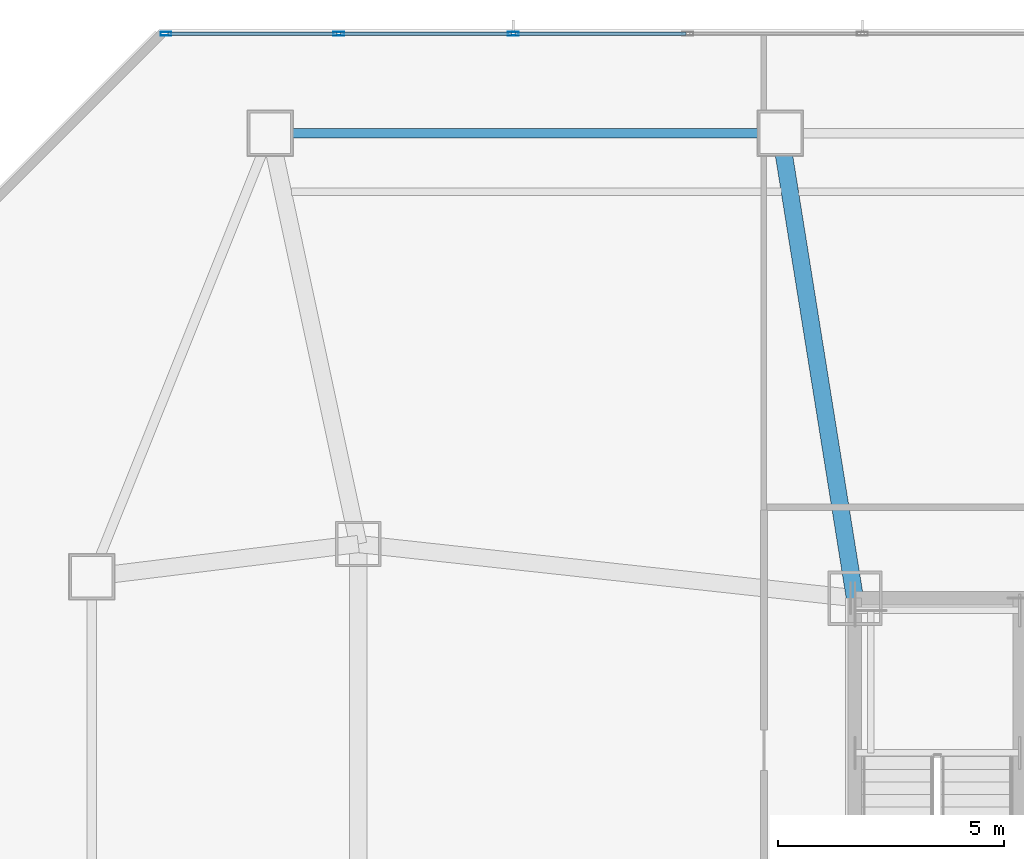
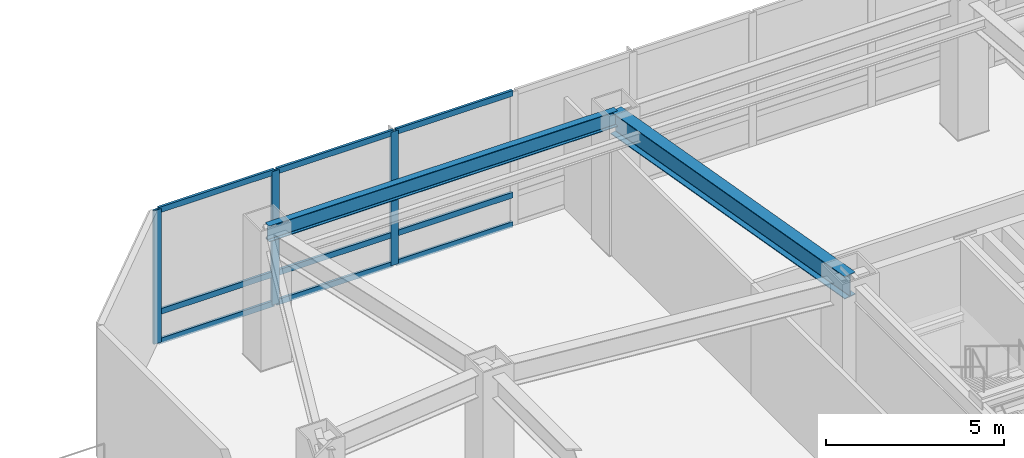
# One storey, part 2 of 14: 12 members, 2 beams, 1 element without a shape of its own.
"""IFC4 building model written with IfcOpenShell, lengths in metres."""

from ifc_helpers import new_model, si_unit, direction, frame, origin, origin_2d, place, context, subcontext, project, spatial, hollow_rectangle, i_section, extrude, material, material_profile, profile_set, type_object, element, aggregate, save


model = new_model("IFC4")

# Units and contexts
model_context = context("Model", 3, precision=1e-05, world=origin(), true_north=direction((0.0, 1.0)))
body_context = subcontext(model_context, "Body", "Model", "MODEL_VIEW")
ifc_project = project(units=[si_unit("LENGTHUNIT", "METRE"), si_unit("AREAUNIT", "SQUARE_METRE"), si_unit("VOLUMEUNIT", "CUBIC_METRE"), si_unit("PLANEANGLEUNIT", "RADIAN"), si_unit("MASSUNIT", "GRAM", prefix="KILO")], contexts=[model_context])

# Site, building, storey
site_placement = place(None, origin())
site = spatial("IfcSite", under=ifc_project, at=site_placement, CompositionType="ELEMENT")
building_placement = place(site_placement, origin())
building = spatial("IfcBuilding", under=site, at=building_placement, Name="Khamvora Tower", CompositionType="ELEMENT")
storey_placement = place(building_placement, frame((0.0, 0.0, 89.800048828125)))
storey = spatial("IfcBuildingStorey", under=building, at=storey_placement, Name="L22", CompositionType="ELEMENT", Elevation=89.800048828125)

# Beams
ifc_material_1 = material(Name="Steel S355", Category="steel")
ifc_material_profile_1 = material_profile(ifc_material_1, i_section(OverallWidth=0.381103515625, OverallDepth=0.77294921875, WebThickness=0.01708984375, FlangeThickness=0.027099609375, FilletRadius=0.01806640625, at=origin_2d()), Name="W760x257")
ifc_profile_set_1 = profile_set([ifc_material_profile_1], Name="Steel S355")
beam_type_1 = type_object("IfcBeamType", Name="BM-PG-W760x257", PredefinedType="BEAM", material=ifc_profile_set_1)
beam_1_placement = place(storey_placement, frame((29.0, 37.0, 4.19287109375), z_axis=(-0.158167584066, 0.987412282358, 0.0), x_axis=(-0.987412282358, -0.158167584066, 0.0)))
element("IfcBeam", 1, at=beam_1_placement, inside=storey, type_object=beam_type_1, Name="L22 primary floor girder N2", PredefinedType="BEAM", context=body_context, shape_type="SweptSolid", body=[
    extrude(i_section(OverallWidth=0.381103515625, OverallDepth=0.77294921875, WebThickness=0.01708984375, FlangeThickness=0.027099609375, FilletRadius=0.01806640625, at=origin_2d()), origin(), (0.0, 0.0, 1.0), 10.431396484375),
])
ifc_material_profile_2 = material_profile(ifc_material_1, i_section(OverallWidth=0.2119140625, OverallDepth=0.5439453125, WebThickness=0.012939453125, FlangeThickness=0.02099609375, FilletRadius=0.013916015625, at=origin_2d()), Name="W530x123")
ifc_profile_set_2 = profile_set([ifc_material_profile_2], Name="Steel S355")
beam_type_2 = type_object("IfcBeamType", Name="BM-SP-W530x123", PredefinedType="SPANDREL", material=ifc_profile_set_2)
beam_2_placement = place(storey_placement, frame((27.35009765625, 47.300048828125, 4.307861328125), z_axis=(-1.0, 0.0, 0.0), x_axis=(0.0, -1.0, 0.0)))
element("IfcBeam", 2, at=beam_2_placement, inside=storey, type_object=beam_type_2, Name="L22 perimeter spandrel beam N2-N1", PredefinedType="SPANDREL", context=body_context, shape_type="SweptSolid", body=[
    extrude(i_section(OverallWidth=0.2119140625, OverallDepth=0.5439453125, WebThickness=0.012939453125, FlangeThickness=0.02099609375, FilletRadius=0.013916015625, at=origin_2d()), origin(), (0.0, 0.0, 1.0), 11.300048828125),
])

# Curtain wall, members
ifc_material_2 = material(Name="Anodised Aluminium 6063-T6", Category="aluminium")
curtain_wall_type = type_object("IfcCurtainWallType", Name="CW-SYS-06", PredefinedType="NOTDEFINED", material=ifc_material_2)
curtain_wall_placement = place(storey_placement, origin())
curtain_wall = element("IfcCurtainWall", 3, at=curtain_wall_placement, inside=storey, type_object=curtain_wall_type, Name="L22 stick curtain wall 07.1", PredefinedType="NOTDEFINED")
ifc_material_profile_3 = material_profile(ifc_material_2, hollow_rectangle(XDim=0.080078125, YDim=0.239990234375, WallThickness=0.0048828125, at=origin_2d()), Name="MUL80x240x5")
ifc_profile_set_3 = profile_set([ifc_material_profile_3], Name="Anodised Aluminium 6063-T6")
member_type_1 = type_object("IfcMemberType", Name="CW-SYS-06-MUL", PredefinedType="MULLION", material=ifc_profile_set_3)
member_1_placement = place(storey_placement, frame((13.741943359375, 49.5, 0.0), z_axis=(0.0, 0.0, 1.0), x_axis=(0.0, 1.0, 0.0)))
member_1 = element("IfcMember", 4, at=member_1_placement, type_object=member_type_1, Name="CW-06 mullion 1", PredefinedType="MULLION", context=body_context, shape_type="SweptSolid", body=[
    extrude(hollow_rectangle(XDim=0.080078125, YDim=0.239990234375, WallThickness=0.0048828125, at=origin_2d()), origin(), (0.0, 0.0, 1.0), 4.579833984375),
])
member_2_placement = place(storey_placement, frame((17.567626953125, 49.5, 0.0), z_axis=(0.0, 0.0, 1.0), x_axis=(0.0, 1.0, 0.0)))
member_2 = element("IfcMember", 5, at=member_2_placement, type_object=member_type_1, Name="CW-06 mullion 2", PredefinedType="MULLION", context=body_context, shape_type="SweptSolid", body=[
    extrude(hollow_rectangle(XDim=0.080078125, YDim=0.239990234375, WallThickness=0.0048828125, at=origin_2d()), origin(), (0.0, 0.0, 1.0), 4.579833984375),
])
member_3_placement = place(storey_placement, frame((21.433349609375, 49.5, 0.0), z_axis=(0.0, 0.0, 1.0), x_axis=(0.0, 1.0, 0.0)))
member_3 = element("IfcMember", 6, at=member_3_placement, type_object=member_type_1, Name="CW-06 mullion 3", PredefinedType="MULLION", context=body_context, shape_type="SweptSolid", body=[
    extrude(hollow_rectangle(XDim=0.080078125, YDim=0.239990234375, WallThickness=0.0048828125, at=origin_2d()), origin(), (0.0, 0.0, 1.0), 4.579833984375),
])
ifc_material_profile_4 = material_profile(ifc_material_2, hollow_rectangle(XDim=0.080078125, YDim=0.195068359375, WallThickness=0.0048828125, at=origin_2d()), Name="TRN80x195x5")
ifc_profile_set_4 = profile_set([ifc_material_profile_4], Name="Anodised Aluminium 6063-T6")
member_type_2 = type_object("IfcMemberType", Name="CW-SYS-06-TRN", PredefinedType="USERDEFINED", material=ifc_profile_set_4)
member_4_placement = place(storey_placement, frame((13.781982421875, 49.5, 0.0400390625), z_axis=(1.0, 0.0, 0.0), x_axis=(0.0, 1.0, 0.0)))
member_4 = element("IfcMember", 7, at=member_4_placement, type_object=member_type_2, Name="CW-06 transom 1.1", ObjectType="TRANSOM", PredefinedType="USERDEFINED", context=body_context, shape_type="SweptSolid", body=[
    extrude(hollow_rectangle(XDim=0.080078125, YDim=0.195068359375, WallThickness=0.0048828125, at=origin_2d()), origin(), (0.0, 0.0, 1.0), 3.74560546875),
])
member_5_placement = place(storey_placement, frame((13.781982421875, 49.5, 1.050048828125), z_axis=(1.0, 0.0, 0.0), x_axis=(0.0, 1.0, 0.0)))
member_5 = element("IfcMember", 8, at=member_5_placement, type_object=member_type_2, Name="CW-06 transom 1.2", ObjectType="TRANSOM", PredefinedType="USERDEFINED", context=body_context, shape_type="SweptSolid", body=[
    extrude(hollow_rectangle(XDim=0.080078125, YDim=0.195068359375, WallThickness=0.0048828125, at=origin_2d()), origin(), (0.0, 0.0, 1.0), 3.74560546875),
])
member_6_placement = place(storey_placement, frame((13.781982421875, 49.5, 4.5400390625), z_axis=(1.0, 0.0, 0.0), x_axis=(0.0, 1.0, 0.0)))
member_6 = element("IfcMember", 9, at=member_6_placement, type_object=member_type_2, Name="CW-06 transom 1.3", ObjectType="TRANSOM", PredefinedType="USERDEFINED", context=body_context, shape_type="SweptSolid", body=[
    extrude(hollow_rectangle(XDim=0.080078125, YDim=0.195068359375, WallThickness=0.0048828125, at=origin_2d()), origin(), (0.0, 0.0, 1.0), 3.74560546875),
])
member_7_placement = place(storey_placement, frame((17.607666015625, 49.5, 0.0400390625), z_axis=(1.0, 0.0, 0.0), x_axis=(0.0, 1.0, 0.0)))
member_7 = element("IfcMember", 10, at=member_7_placement, type_object=member_type_2, Name="CW-06 transom 2.1", ObjectType="TRANSOM", PredefinedType="USERDEFINED", context=body_context, shape_type="SweptSolid", body=[
    extrude(hollow_rectangle(XDim=0.080078125, YDim=0.195068359375, WallThickness=0.0048828125, at=origin_2d()), origin(), (0.0, 0.0, 1.0), 3.78564453125),
])
member_8_placement = place(storey_placement, frame((17.607666015625, 49.5, 1.050048828125), z_axis=(1.0, 0.0, 0.0), x_axis=(0.0, 1.0, 0.0)))
member_8 = element("IfcMember", 11, at=member_8_placement, type_object=member_type_2, Name="CW-06 transom 2.2", ObjectType="TRANSOM", PredefinedType="USERDEFINED", context=body_context, shape_type="SweptSolid", body=[
    extrude(hollow_rectangle(XDim=0.080078125, YDim=0.195068359375, WallThickness=0.0048828125, at=origin_2d()), origin(), (0.0, 0.0, 1.0), 3.78564453125),
])
member_9_placement = place(storey_placement, frame((17.607666015625, 49.5, 4.5400390625), z_axis=(1.0, 0.0, 0.0), x_axis=(0.0, 1.0, 0.0)))
member_9 = element("IfcMember", 12, at=member_9_placement, type_object=member_type_2, Name="CW-06 transom 2.3", ObjectType="TRANSOM", PredefinedType="USERDEFINED", context=body_context, shape_type="SweptSolid", body=[
    extrude(hollow_rectangle(XDim=0.080078125, YDim=0.195068359375, WallThickness=0.0048828125, at=origin_2d()), origin(), (0.0, 0.0, 1.0), 3.78564453125),
])
member_10_placement = place(storey_placement, frame((21.473388671875, 49.5, 0.0400390625), z_axis=(1.0, 0.0, 0.0), x_axis=(0.0, 1.0, 0.0)))
member_10 = element("IfcMember", 13, at=member_10_placement, type_object=member_type_2, Name="CW-06 transom 3.1", ObjectType="TRANSOM", PredefinedType="USERDEFINED", context=body_context, shape_type="SweptSolid", body=[
    extrude(hollow_rectangle(XDim=0.080078125, YDim=0.195068359375, WallThickness=0.0048828125, at=origin_2d()), origin(), (0.0, 0.0, 1.0), 3.78564453125),
])
member_11_placement = place(storey_placement, frame((21.473388671875, 49.5, 1.050048828125), z_axis=(1.0, 0.0, 0.0), x_axis=(0.0, 1.0, 0.0)))
member_11 = element("IfcMember", 14, at=member_11_placement, type_object=member_type_2, Name="CW-06 transom 3.2", ObjectType="TRANSOM", PredefinedType="USERDEFINED", context=body_context, shape_type="SweptSolid", body=[
    extrude(hollow_rectangle(XDim=0.080078125, YDim=0.195068359375, WallThickness=0.0048828125, at=origin_2d()), origin(), (0.0, 0.0, 1.0), 3.78564453125),
])
member_12_placement = place(storey_placement, frame((21.473388671875, 49.5, 4.5400390625), z_axis=(1.0, 0.0, 0.0), x_axis=(0.0, 1.0, 0.0)))
member_12 = element("IfcMember", 15, at=member_12_placement, type_object=member_type_2, Name="CW-06 transom 3.3", ObjectType="TRANSOM", PredefinedType="USERDEFINED", context=body_context, shape_type="SweptSolid", body=[
    extrude(hollow_rectangle(XDim=0.080078125, YDim=0.195068359375, WallThickness=0.0048828125, at=origin_2d()), origin(), (0.0, 0.0, 1.0), 3.78564453125),
])
aggregate(curtain_wall, [member_1, member_2, member_3, member_4, member_5, member_6, member_7, member_8, member_9, member_10, member_11, member_12])

save(model, "model.ifc")
